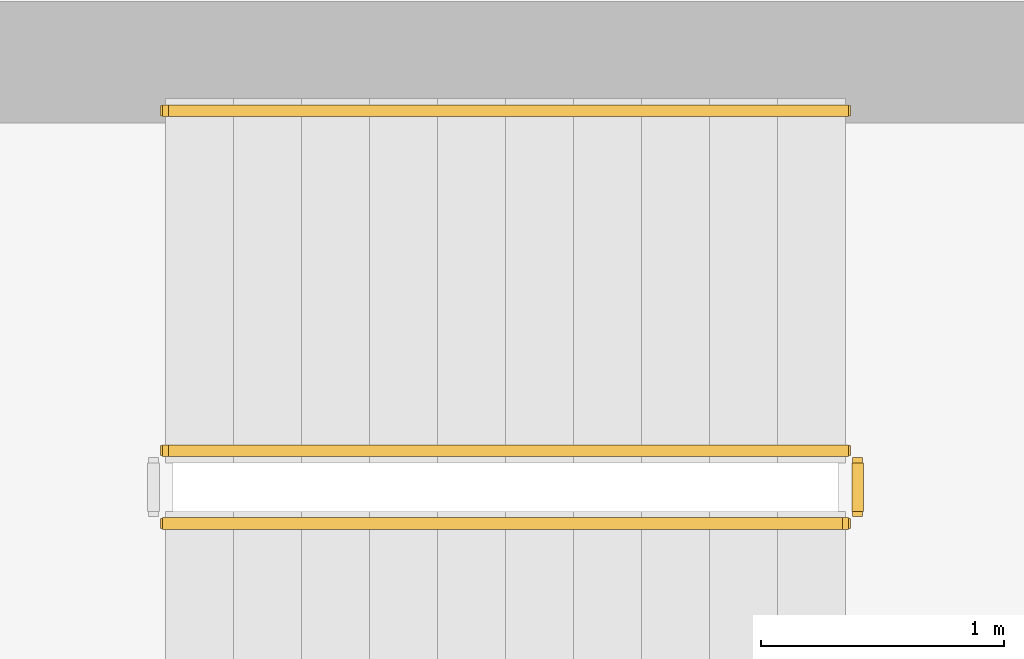
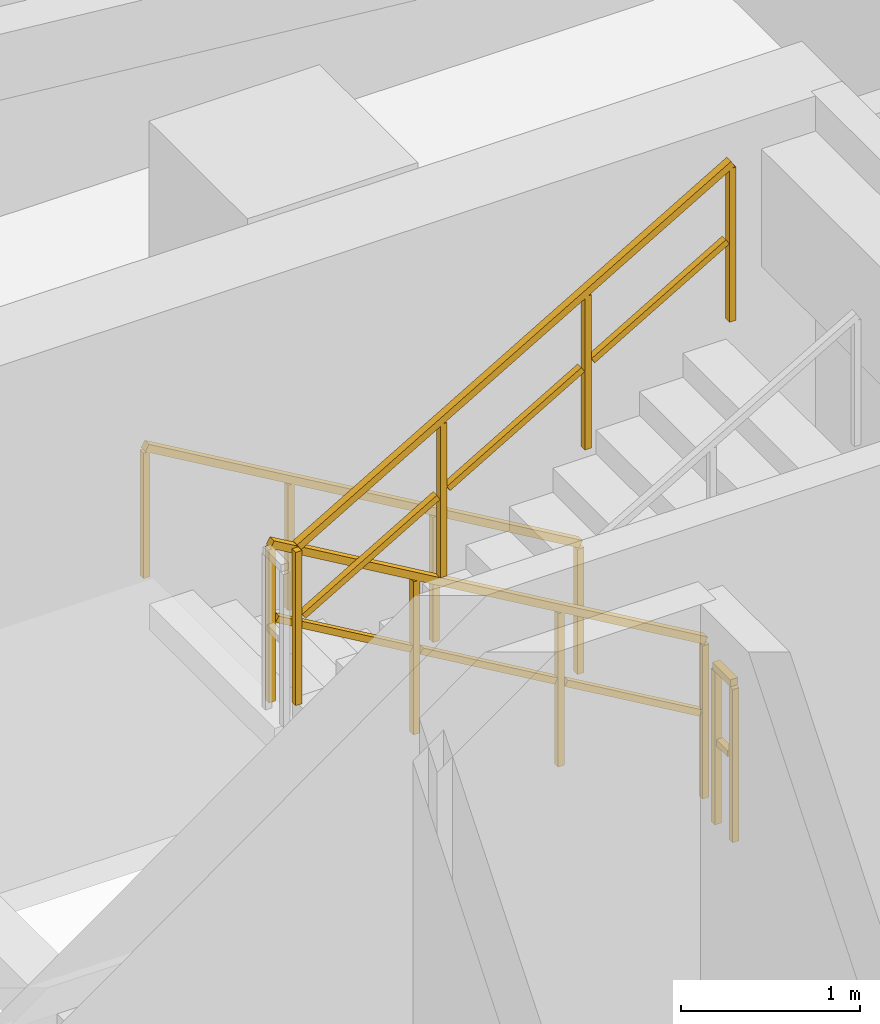
# One storey, part 30 of 32: 4 railings.
"""IFC4 building model written with IfcOpenShell, lengths in metres."""

from ifc_helpers import new_model, si_unit, direction, frame, origin, origin_2d, place, context, subcontext, project, spatial, rectangle, extrude, material, type_object, element, save


model = new_model("IFC4")

# Units and contexts
model_context = context("Model", 3, precision=1e-05, world=origin(), true_north=direction((0.0, 1.0)))
body_context = subcontext(model_context, "Body", "Model", "MODEL_VIEW")
ifc_project = project(units=[si_unit("LENGTHUNIT", "METRE"), si_unit("AREAUNIT", "SQUARE_METRE"), si_unit("VOLUMEUNIT", "CUBIC_METRE"), si_unit("PLANEANGLEUNIT", "RADIAN"), si_unit("MASSUNIT", "GRAM", prefix="KILO")], contexts=[model_context])

# Site, building, storey
site_placement = place(None, origin())
site = spatial("IfcSite", under=ifc_project, at=site_placement, CompositionType="ELEMENT")
building_placement = place(site_placement, origin())
building = spatial("IfcBuilding", under=site, at=building_placement, Name="Thornwick Lancets Civic Towers", CompositionType="ELEMENT")
storey_placement = place(building_placement, frame((0.0, 0.0, 156.300048828125)))
storey = spatial("IfcBuildingStorey", under=building, at=storey_placement, Name="L41", CompositionType="ELEMENT", Elevation=156.300048828125)

# Railings
ifc_material_1 = material(Name="Brushed stainless steel S355", Category="steel")
railing_type_1 = type_object("IfcRailingType", Name="RAIL_HANDRAIL", PredefinedType="HANDRAIL", material=ifc_material_1)
railing_1_placement = place(storey_placement, frame((31.60009765625, 38.949951171875, 0.16357421875)))
element("IfcRailing", 1, at=railing_1_placement, inside=storey, type_object=railing_type_1, Name="L41 ST-A2 stair handrail 1", PredefinedType="HANDRAIL", context=body_context, shape_type="SweptSolid", body=[
    extrude(rectangle(XDim=0.048095703125, YDim=0.048095703125, at=origin_2d()), frame((0.0, 0.0, 0.8857421875), z_axis=(-0.863360870873, 0.0, 0.504586966384), x_axis=(0.0, -1.0, 0.0)), (0.0, 0.0, 1.0), 3.2431640625),
    extrude(rectangle(XDim=0.0419921875, YDim=0.0419921875, at=origin_2d()), origin(), (0.0, 0.0, 1.0), 0.855712890625),
    extrude(rectangle(XDim=0.0419921875, YDim=0.0419921875, at=origin_2d()), frame((-0.933349609375, 0.0, 0.54541015625)), (0.0, 0.0, 1.0), 0.855712890625),
    extrude(rectangle(XDim=0.0419921875, YDim=0.0419921875, at=origin_2d()), frame((-1.86669921875, 0.0, 1.091064453125)), (0.0, 0.0, 1.0), 0.855712890625),
    extrude(rectangle(XDim=0.0419921875, YDim=0.0419921875, at=origin_2d()), frame((-2.800048828125, 0.0, 1.636474609375)), (0.0, 0.0, 1.0), 0.855712890625),
])
ifc_material_2 = material(Name="Steel S355JR", Category="steel")
railing_type_2 = type_object("IfcRailingType", Name="RAIL_STAIR_GUARD", PredefinedType="GUARDRAIL", material=ifc_material_2)
railing_2_placement = place(storey_placement, frame((31.60009765625, 37.550048828125, 0.16357421875)))
element("IfcRailing", 2, at=railing_2_placement, inside=storey, type_object=railing_type_2, Name="L41 ST-A2 stair guard 1", PredefinedType="GUARDRAIL", context=body_context, shape_type="SweptSolid", body=[
    extrude(rectangle(XDim=0.048095703125, YDim=0.048095703125, at=origin_2d()), frame((0.0, 0.0, 1.076171875), z_axis=(-0.863360870873, 0.0, 0.504586966384), x_axis=(0.0, -1.0, 0.0)), (0.0, 0.0, 1.0), 3.2431640625),
    extrude(rectangle(XDim=0.0419921875, YDim=0.0419921875, at=origin_2d()), frame((-0.032470703125, 0.0, 0.591064453125), z_axis=(-0.863360870873, 0.0, 0.504586966384), x_axis=(0.0, -1.0, 0.0)), (0.0, 0.0, 1.0), 1.006103515625),
    extrude(rectangle(XDim=0.0419921875, YDim=0.0419921875, at=origin_2d()), frame((-0.9658203125, 0.0, 1.136474609375), z_axis=(-0.863360870873, 0.0, 0.504586966384), x_axis=(0.0, -1.0, 0.0)), (0.0, 0.0, 1.0), 1.006103515625),
    extrude(rectangle(XDim=0.0419921875, YDim=0.0419921875, at=origin_2d()), frame((-1.899169921875, 0.0, 1.681884765625), z_axis=(-0.863360870873, 0.0, 0.504586966384), x_axis=(0.0, -1.0, 0.0)), (0.0, 0.0, 1.0), 1.006103515625),
    extrude(rectangle(XDim=0.0419921875, YDim=0.0419921875, at=origin_2d()), origin(), (0.0, 0.0, 1.0), 1.0458984375),
    extrude(rectangle(XDim=0.0419921875, YDim=0.0419921875, at=origin_2d()), frame((-0.933349609375, 0.0, 0.54541015625)), (0.0, 0.0, 1.0), 1.0458984375),
    extrude(rectangle(XDim=0.0419921875, YDim=0.0419921875, at=origin_2d()), frame((-1.86669921875, 0.0, 1.091064453125)), (0.0, 0.0, 1.0), 1.0458984375),
    extrude(rectangle(XDim=0.0419921875, YDim=0.0419921875, at=origin_2d()), frame((-2.800048828125, 0.0, 1.636474609375)), (0.0, 0.0, 1.0), 1.0458984375),
])
railing_3_placement = place(storey_placement, frame((28.800048828125, 37.25, 1.963623046875)))
element("IfcRailing", 3, at=railing_3_placement, inside=storey, type_object=railing_type_2, Name="L41 ST-A2 stair guard 3", PredefinedType="GUARDRAIL", context=body_context, shape_type="SweptSolid", body=[
    extrude(rectangle(XDim=0.048095703125, YDim=0.048095703125, at=origin_2d()), frame((0.0, 0.0, 1.076171875), z_axis=(0.863393664356, 0.0, 0.504530851732), x_axis=(0.0, 1.0, 0.0)), (0.0, 0.0, 1.0), 3.2431640625),
    extrude(rectangle(XDim=0.0419921875, YDim=0.0419921875, at=origin_2d()), frame((0.032470703125, 0.0, 0.591064453125), z_axis=(0.863393664356, 0.0, 0.504530851732), x_axis=(0.0, 1.0, 0.0)), (0.0, 0.0, 1.0), 1.006103515625),
    extrude(rectangle(XDim=0.0419921875, YDim=0.0419921875, at=origin_2d()), frame((0.9658203125, 0.0, 1.136474609375), z_axis=(0.863393664356, 0.0, 0.504530851732), x_axis=(0.0, 1.0, 0.0)), (0.0, 0.0, 1.0), 1.006103515625),
    extrude(rectangle(XDim=0.0419921875, YDim=0.0419921875, at=origin_2d()), frame((1.899169921875, 0.0, 1.681884765625), z_axis=(0.863393664356, 0.0, 0.504530851732), x_axis=(0.0, 1.0, 0.0)), (0.0, 0.0, 1.0), 1.006103515625),
    extrude(rectangle(XDim=0.0419921875, YDim=0.0419921875, at=origin_2d()), origin(), (0.0, 0.0, 1.0), 1.0458984375),
    extrude(rectangle(XDim=0.0419921875, YDim=0.0419921875, at=origin_2d()), frame((0.933349609375, 0.0, 0.54541015625)), (0.0, 0.0, 1.0), 1.0458984375),
    extrude(rectangle(XDim=0.0419921875, YDim=0.0419921875, at=origin_2d()), frame((1.86669921875, 0.0, 1.0908203125)), (0.0, 0.0, 1.0), 1.0458984375),
    extrude(rectangle(XDim=0.0419921875, YDim=0.0419921875, at=origin_2d()), frame((2.800048828125, 0.0, 1.63623046875)), (0.0, 0.0, 1.0), 1.0458984375),
])
railing_4_placement = place(storey_placement, frame((31.64990234375, 37.5, 0.0)))
element("IfcRailing", 4, at=railing_4_placement, inside=storey, type_object=railing_type_2, Name="L41 ST-A2 stair guard 4", PredefinedType="GUARDRAIL", context=body_context, shape_type="SweptSolid", body=[
    extrude(rectangle(XDim=0.048095703125, YDim=0.048095703125, at=origin_2d()), frame((0.0, 0.0, 1.076171875), z_axis=(0.0, -1.0, 0.0), x_axis=(1.0, 0.0, 0.0)), (0.0, 0.0, 1.0), 0.199951171875),
    extrude(rectangle(XDim=0.0419921875, YDim=0.0419921875, at=origin_2d()), frame((0.0, -0.03759765625, 0.572021484375), z_axis=(0.0, -1.0, 0.0), x_axis=(1.0, 0.0, 0.0)), (0.0, 0.0, 1.0), 0.125),
    extrude(rectangle(XDim=0.0419921875, YDim=0.0419921875, at=origin_2d()), origin(), (0.0, 0.0, 1.0), 1.0458984375),
    extrude(rectangle(XDim=0.0419921875, YDim=0.0419921875, at=origin_2d()), frame((0.0, -0.199951171875, 0.0)), (0.0, 0.0, 1.0), 1.0458984375),
])

save(model, "model.ifc")
